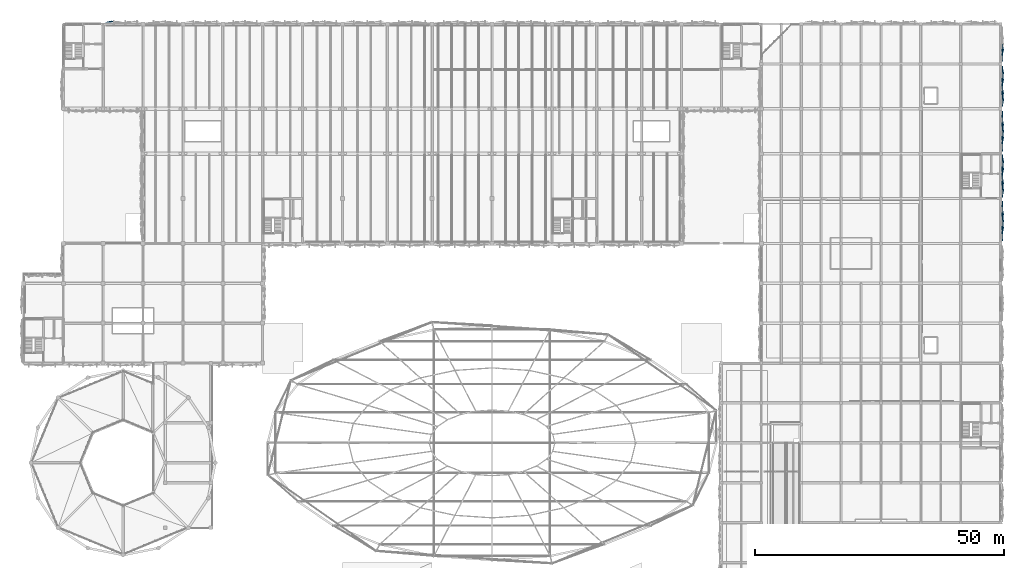
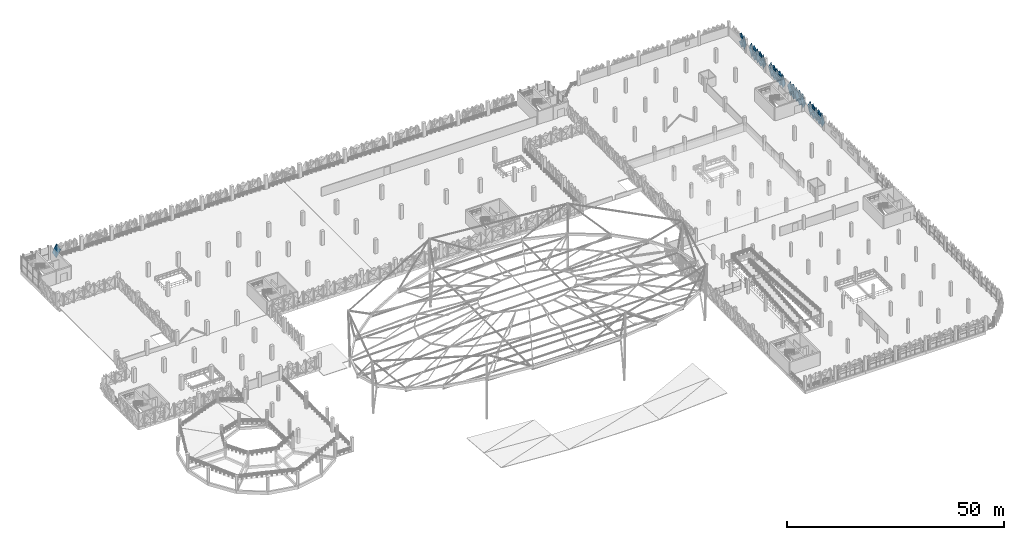
# One storey, part 77 of 96: 32 plates.
"""IFC4 building model written with IfcOpenShell, lengths in metres."""

from ifc_helpers import new_model, si_unit, derived_unit, direction, frame, origin, place, context, subcontext, project, spatial, polygons, material, layer, layer_set, type_object, element, save


model = new_model("IFC4")

# Units and contexts
model_context = context("Model", 3, precision=1e-05, world=origin(), true_north=direction((0.0, 1.0)))
body_context = subcontext(model_context, "Body", "Model", "MODEL_VIEW")
ifc_project = project(units=[si_unit("LENGTHUNIT", "METRE"), si_unit("AREAUNIT", "SQUARE_METRE"), si_unit("VOLUMEUNIT", "CUBIC_METRE"), si_unit("PLANEANGLEUNIT", "RADIAN"), si_unit("MASSUNIT", "GRAM", prefix="KILO"), si_unit("THERMODYNAMICTEMPERATUREUNIT", "KELVIN"), derived_unit("THERMALTRANSMITTANCEUNIT", [(si_unit("POWERUNIT", "WATT"), 1), (si_unit("AREAUNIT", "SQUARE_METRE"), -1), (si_unit("THERMODYNAMICTEMPERATUREUNIT", "KELVIN"), -1)])], contexts=[model_context])

# Site, building, storey
site_placement = place(None, origin())
site = spatial("IfcSite", under=ifc_project, at=site_placement, CompositionType="ELEMENT")
building_placement = place(site_placement, origin())
building = spatial("IfcBuilding", under=site, at=building_placement, Name="Haiyu Intermodal Mobility Hub", CompositionType="ELEMENT")
storey_placement = place(building_placement, frame((0.0, 0.0, 9.5)))
storey = spatial("IfcBuildingStorey", under=building, at=storey_placement, Name="L02", CompositionType="ELEMENT", Elevation=9.5)

# Plates
ifc_material = material(Name="Anodised aluminium 6063-T6", Category="aluminium")
ifc_layer_1 = layer(ifc_material, 0.01806640625)
ifc_layer_set_1 = layer_set([ifc_layer_1], Name="Anodised aluminium 6063-T6")
plate_type_1 = type_object("IfcPlateType", Name="PLT-FC01", PredefinedType="USERDEFINED", material=ifc_layer_set_1)
plate_1_placement = place(storey_placement, origin())
element("IfcPlate", 1, at=plate_1_placement, inside=storey, type_object=plate_type_1, Name="PLT-PYR-0014", ObjectType="FACADE CASSETTE", PredefinedType="USERDEFINED", context=body_context, shape_type="Tessellation", body=[
    polygons([(31.653076171875, 148.39990234375, -0.510009765625), (30.5, 148.39990234375, 1.60009765625), (31.653076171875, 148.39990234375, 3.7099609375), (32.806884765625, 148.39990234375, 1.60009765625), (31.653076171875, 148.679931640625, 1.60009765625), (31.653076171875, 148.3779296875, -0.510009765625), (30.5, 148.3779296875, 1.60009765625), (31.653076171875, 148.3779296875, 3.7099609375), (32.806884765625, 148.3779296875, 1.60009765625), (31.653076171875, 148.657958984375, 1.60009765625)], [[[1, 2, 5]], [[2, 3, 5]], [[3, 4, 5]], [[4, 1, 5]], [[7, 6, 10]], [[8, 7, 10]], [[9, 8, 10]], [[6, 9, 10]], [[1, 6, 7, 2]], [[2, 7, 8, 3]], [[3, 8, 9, 4]], [[4, 9, 6, 1]]], closed=True),
])
plate_2_placement = place(storey_placement, origin())
element("IfcPlate", 2, at=plate_2_placement, inside=storey, type_object=plate_type_1, Name="PLT-PYR-1147", ObjectType="FACADE CASSETTE", PredefinedType="USERDEFINED", context=body_context, shape_type="Tessellation", body=[
    polygons([(210.39990234375, 138.179931640625, -0.510009765625), (210.39990234375, 139.5, 1.60009765625), (210.39990234375, 138.179931640625, 3.7099609375), (210.39990234375, 136.860107421875, 1.60009765625), (210.679931640625, 138.179931640625, 1.60009765625), (210.3779296875, 138.179931640625, -0.510009765625), (210.3779296875, 139.5, 1.60009765625), (210.3779296875, 138.179931640625, 3.7099609375), (210.3779296875, 136.860107421875, 1.60009765625), (210.657958984375, 138.179931640625, 1.60009765625)], [[[1, 2, 5]], [[2, 3, 5]], [[3, 4, 5]], [[4, 1, 5]], [[7, 6, 10]], [[8, 7, 10]], [[9, 8, 10]], [[6, 9, 10]], [[1, 6, 7, 2]], [[2, 7, 8, 3]], [[3, 8, 9, 4]], [[4, 9, 6, 1]]], closed=True),
])
plate_3_placement = place(storey_placement, origin())
element("IfcPlate", 3, at=plate_3_placement, inside=storey, type_object=plate_type_1, Name="PLT-PYR-1401", ObjectType="FACADE CASSETTE", PredefinedType="USERDEFINED", context=body_context, shape_type="Tessellation", body=[
    polygons([(210.39990234375, 120.366943359375, -0.510009765625), (210.39990234375, 121.780029296875, 1.60009765625), (210.39990234375, 120.366943359375, 3.7099609375), (210.39990234375, 118.952880859375, 1.60009765625), (210.679931640625, 120.366943359375, 1.60009765625), (210.3779296875, 120.366943359375, -0.510009765625), (210.3779296875, 121.780029296875, 1.60009765625), (210.3779296875, 120.366943359375, 3.7099609375), (210.3779296875, 118.952880859375, 1.60009765625), (210.657958984375, 120.366943359375, 1.60009765625)], [[[1, 2, 5]], [[2, 3, 5]], [[3, 4, 5]], [[4, 1, 5]], [[7, 6, 10]], [[8, 7, 10]], [[9, 8, 10]], [[6, 9, 10]], [[1, 6, 7, 2]], [[2, 7, 8, 3]], [[3, 8, 9, 4]], [[4, 9, 6, 1]]], closed=True),
])
ifc_layer_2 = layer(ifc_material, 0.02001953125)
ifc_layer_set_2 = layer_set([ifc_layer_2], Name="Anodised aluminium 6063-T6")
plate_type_2 = type_object("IfcPlateType", Name="PLT-FC02", PredefinedType="USERDEFINED", material=ifc_layer_set_2)
plate_4_placement = place(storey_placement, origin())
element("IfcPlate", 4, at=plate_4_placement, inside=storey, type_object=plate_type_2, Name="PLT-PYR-1133", ObjectType="FACADE CASSETTE", PredefinedType="USERDEFINED", context=body_context, shape_type="Tessellation", body=[
    polygons([(210.39990234375, 111.179931640625, -0.510009765625), (210.39990234375, 112.5, 1.60009765625), (210.39990234375, 111.179931640625, 3.7099609375), (210.39990234375, 109.860107421875, 1.60009765625), (210.139892578125, 111.179931640625, 1.60009765625), (210.3779296875, 111.179931640625, -0.510009765625), (210.3779296875, 112.5, 1.60009765625), (210.3779296875, 111.179931640625, 3.7099609375), (210.3779296875, 109.860107421875, 1.60009765625), (210.117919921875, 111.179931640625, 1.60009765625)], [[[1, 2, 5]], [[2, 3, 5]], [[3, 4, 5]], [[4, 1, 5]], [[7, 6, 10]], [[8, 7, 10]], [[9, 8, 10]], [[6, 9, 10]], [[1, 6, 7, 2]], [[2, 7, 8, 3]], [[3, 8, 9, 4]], [[4, 9, 6, 1]]], closed=True),
])
plate_5_placement = place(storey_placement, origin())
element("IfcPlate", 5, at=plate_5_placement, inside=storey, type_object=plate_type_2, Name="PLT-PYR-1140", ObjectType="FACADE CASSETTE", PredefinedType="USERDEFINED", context=body_context, shape_type="Tessellation", body=[
    polygons([(210.39990234375, 129.179931640625, -0.510009765625), (210.39990234375, 130.5, 1.60009765625), (210.39990234375, 129.179931640625, 3.7099609375), (210.39990234375, 127.860107421875, 1.60009765625), (210.139892578125, 129.179931640625, 1.60009765625), (210.3779296875, 129.179931640625, -0.510009765625), (210.3779296875, 130.5, 1.60009765625), (210.3779296875, 129.179931640625, 3.7099609375), (210.3779296875, 127.860107421875, 1.60009765625), (210.117919921875, 129.179931640625, 1.60009765625)], [[[1, 2, 5]], [[2, 3, 5]], [[3, 4, 5]], [[4, 1, 5]], [[7, 6, 10]], [[8, 7, 10]], [[9, 8, 10]], [[6, 9, 10]], [[1, 6, 7, 2]], [[2, 7, 8, 3]], [[3, 8, 9, 4]], [[4, 9, 6, 1]]], closed=True),
])
ifc_layer_3 = layer(ifc_material, 0.01806640625)
ifc_layer_set_3 = layer_set([ifc_layer_3], Name="Anodised aluminium 6063-T6")
plate_type_3 = type_object("IfcPlateType", Name="PLT-FC05", PredefinedType="USERDEFINED", material=ifc_layer_set_3)
plate_6_placement = place(storey_placement, origin())
element("IfcPlate", 6, at=plate_6_placement, inside=storey, type_object=plate_type_3, Name="PLT-PYR-1128", ObjectType="FACADE CASSETTE", PredefinedType="USERDEFINED", context=body_context, shape_type="Tessellation", body=[
    polygons([(210.39990234375, 107.159912109375, -0.52001953125), (210.39990234375, 108.47998046875, 0.530029296875), (210.39990234375, 107.159912109375, 1.580078125), (210.39990234375, 105.840087890625, 0.530029296875), (210.659912109375, 107.159912109375, 0.530029296875), (210.3779296875, 107.159912109375, -0.52001953125), (210.3779296875, 108.47998046875, 0.530029296875), (210.3779296875, 107.159912109375, 1.580078125), (210.3779296875, 105.840087890625, 0.530029296875), (210.637939453125, 107.159912109375, 0.530029296875)], [[[1, 2, 5]], [[2, 3, 5]], [[3, 4, 5]], [[4, 1, 5]], [[7, 6, 10]], [[8, 7, 10]], [[9, 8, 10]], [[6, 9, 10]], [[1, 6, 7, 2]], [[2, 7, 8, 3]], [[3, 8, 9, 4]], [[4, 9, 6, 1]]], closed=True),
])
plate_7_placement = place(storey_placement, origin())
element("IfcPlate", 7, at=plate_7_placement, inside=storey, type_object=plate_type_3, Name="PLT-PYR-1135", ObjectType="FACADE CASSETTE", PredefinedType="USERDEFINED", context=body_context, shape_type="Tessellation", body=[
    polygons([(210.39990234375, 125.159912109375, -0.52001953125), (210.39990234375, 126.47998046875, 0.530029296875), (210.39990234375, 125.159912109375, 1.580078125), (210.39990234375, 123.840087890625, 0.530029296875), (210.659912109375, 125.159912109375, 0.530029296875), (210.3779296875, 125.159912109375, -0.52001953125), (210.3779296875, 126.47998046875, 0.530029296875), (210.3779296875, 125.159912109375, 1.580078125), (210.3779296875, 123.840087890625, 0.530029296875), (210.637939453125, 125.159912109375, 0.530029296875)], [[[1, 2, 5]], [[2, 3, 5]], [[3, 4, 5]], [[4, 1, 5]], [[7, 6, 10]], [[8, 7, 10]], [[9, 8, 10]], [[6, 9, 10]], [[1, 6, 7, 2]], [[2, 7, 8, 3]], [[3, 8, 9, 4]], [[4, 9, 6, 1]]], closed=True),
])
plate_8_placement = place(storey_placement, origin())
element("IfcPlate", 8, at=plate_8_placement, inside=storey, type_object=plate_type_3, Name="PLT-PYR-1141", ObjectType="FACADE CASSETTE", PredefinedType="USERDEFINED", context=body_context, shape_type="Tessellation", body=[
    polygons([(210.39990234375, 132.820068359375, -0.510009765625), (210.39990234375, 134.139892578125, 1.60009765625), (210.39990234375, 132.820068359375, 3.7099609375), (210.39990234375, 131.5, 1.60009765625), (210.679931640625, 132.820068359375, 1.60009765625), (210.3779296875, 132.820068359375, -0.510009765625), (210.3779296875, 134.139892578125, 1.60009765625), (210.3779296875, 132.820068359375, 3.7099609375), (210.3779296875, 131.5, 1.60009765625), (210.657958984375, 132.820068359375, 1.60009765625)], [[[1, 2, 5]], [[2, 3, 5]], [[3, 4, 5]], [[4, 1, 5]], [[7, 6, 10]], [[8, 7, 10]], [[9, 8, 10]], [[6, 9, 10]], [[1, 6, 7, 2]], [[2, 7, 8, 3]], [[3, 8, 9, 4]], [[4, 9, 6, 1]]], closed=True),
])
plate_9_placement = place(storey_placement, origin())
element("IfcPlate", 9, at=plate_9_placement, inside=storey, type_object=plate_type_3, Name="PLT-PYR-1145", ObjectType="FACADE CASSETTE", PredefinedType="USERDEFINED", context=body_context, shape_type="Tessellation", body=[
    polygons([(210.39990234375, 136.840087890625, -0.52001953125), (210.39990234375, 138.159912109375, 0.530029296875), (210.39990234375, 136.840087890625, 1.580078125), (210.39990234375, 135.52001953125, 0.530029296875), (210.659912109375, 136.840087890625, 0.530029296875), (210.3779296875, 136.840087890625, -0.52001953125), (210.3779296875, 138.159912109375, 0.530029296875), (210.3779296875, 136.840087890625, 1.580078125), (210.3779296875, 135.52001953125, 0.530029296875), (210.637939453125, 136.840087890625, 0.530029296875)], [[[1, 2, 5]], [[2, 3, 5]], [[3, 4, 5]], [[4, 1, 5]], [[7, 6, 10]], [[8, 7, 10]], [[9, 8, 10]], [[6, 9, 10]], [[1, 6, 7, 2]], [[2, 7, 8, 3]], [[3, 8, 9, 4]], [[4, 9, 6, 1]]], closed=True),
])
plate_10_placement = place(storey_placement, origin())
element("IfcPlate", 10, at=plate_10_placement, inside=storey, type_object=plate_type_3, Name="PLT-PYR-1149", ObjectType="FACADE CASSETTE", PredefinedType="USERDEFINED", context=body_context, shape_type="Tessellation", body=[
    polygons([(210.39990234375, 142.826904296875, -0.52001953125), (210.39990234375, 143.97998046875, 0.530029296875), (210.39990234375, 142.826904296875, 1.580078125), (210.39990234375, 141.673095703125, 0.530029296875), (210.659912109375, 142.826904296875, 0.530029296875), (210.3779296875, 142.826904296875, -0.52001953125), (210.3779296875, 143.97998046875, 0.530029296875), (210.3779296875, 142.826904296875, 1.580078125), (210.3779296875, 141.673095703125, 0.530029296875), (210.637939453125, 142.826904296875, 0.530029296875)], [[[1, 2, 5]], [[2, 3, 5]], [[3, 4, 5]], [[4, 1, 5]], [[7, 6, 10]], [[8, 7, 10]], [[9, 8, 10]], [[6, 9, 10]], [[1, 6, 7, 2]], [[2, 7, 8, 3]], [[3, 8, 9, 4]], [[4, 9, 6, 1]]], closed=True),
])
plate_11_placement = place(storey_placement, origin())
element("IfcPlate", 11, at=plate_11_placement, inside=storey, type_object=plate_type_3, Name="PLT-PYR-1395", ObjectType="FACADE CASSETTE", PredefinedType="USERDEFINED", context=body_context, shape_type="Tessellation", body=[
    polygons([(210.39990234375, 114.633056640625, -0.510009765625), (210.39990234375, 116.047119140625, 1.60009765625), (210.39990234375, 114.633056640625, 3.7099609375), (210.39990234375, 113.219970703125, 1.60009765625), (210.679931640625, 114.633056640625, 1.60009765625), (210.3779296875, 114.633056640625, -0.510009765625), (210.3779296875, 116.047119140625, 1.60009765625), (210.3779296875, 114.633056640625, 3.7099609375), (210.3779296875, 113.219970703125, 1.60009765625), (210.657958984375, 114.633056640625, 1.60009765625)], [[[1, 2, 5]], [[2, 3, 5]], [[3, 4, 5]], [[4, 1, 5]], [[7, 6, 10]], [[8, 7, 10]], [[9, 8, 10]], [[6, 9, 10]], [[1, 6, 7, 2]], [[2, 7, 8, 3]], [[3, 8, 9, 4]], [[4, 9, 6, 1]]], closed=True),
])
plate_12_placement = place(storey_placement, origin())
element("IfcPlate", 12, at=plate_12_placement, inside=storey, type_object=plate_type_3, Name="PLT-PYR-1399", ObjectType="FACADE CASSETTE", PredefinedType="USERDEFINED", context=body_context, shape_type="Tessellation", body=[
    polygons([(210.39990234375, 118.93310546875, -0.52001953125), (210.39990234375, 120.346923828125, 0.530029296875), (210.39990234375, 118.93310546875, 1.580078125), (210.39990234375, 117.52001953125, 0.530029296875), (210.659912109375, 118.93310546875, 0.530029296875), (210.3779296875, 118.93310546875, -0.52001953125), (210.3779296875, 120.346923828125, 0.530029296875), (210.3779296875, 118.93310546875, 1.580078125), (210.3779296875, 117.52001953125, 0.530029296875), (210.637939453125, 118.93310546875, 0.530029296875)], [[[1, 2, 5]], [[2, 3, 5]], [[3, 4, 5]], [[4, 1, 5]], [[7, 6, 10]], [[8, 7, 10]], [[9, 8, 10]], [[6, 9, 10]], [[1, 6, 7, 2]], [[2, 7, 8, 3]], [[3, 8, 9, 4]], [[4, 9, 6, 1]]], closed=True),
])
ifc_layer_4 = layer(ifc_material, 0.02001953125)
ifc_layer_set_4 = layer_set([ifc_layer_4], Name="Anodised aluminium 6063-T6")
plate_type_4 = type_object("IfcPlateType", Name="PLT-FC06", PredefinedType="USERDEFINED", material=ifc_layer_set_4)
plate_13_placement = place(storey_placement, origin())
element("IfcPlate", 13, at=plate_13_placement, inside=storey, type_object=plate_type_4, Name="PLT-PYR-1127", ObjectType="FACADE CASSETTE", PredefinedType="USERDEFINED", context=body_context, shape_type="Tessellation", body=[
    polygons([(210.39990234375, 105.820068359375, -0.510009765625), (210.39990234375, 107.139892578125, 1.60009765625), (210.39990234375, 105.820068359375, 3.7099609375), (210.39990234375, 104.5, 1.60009765625), (210.139892578125, 105.820068359375, 1.60009765625), (210.3779296875, 105.820068359375, -0.510009765625), (210.3779296875, 107.139892578125, 1.60009765625), (210.3779296875, 105.820068359375, 3.7099609375), (210.3779296875, 104.5, 1.60009765625), (210.117919921875, 105.820068359375, 1.60009765625)], [[[1, 2, 5]], [[2, 3, 5]], [[3, 4, 5]], [[4, 1, 5]], [[7, 6, 10]], [[8, 7, 10]], [[9, 8, 10]], [[6, 9, 10]], [[1, 6, 7, 2]], [[2, 7, 8, 3]], [[3, 8, 9, 4]], [[4, 9, 6, 1]]], closed=True),
])
plate_14_placement = place(storey_placement, origin())
element("IfcPlate", 14, at=plate_14_placement, inside=storey, type_object=plate_type_4, Name="PLT-PYR-1131", ObjectType="FACADE CASSETTE", PredefinedType="USERDEFINED", context=body_context, shape_type="Tessellation", body=[
    polygons([(210.39990234375, 109.840087890625, -0.52001953125), (210.39990234375, 111.159912109375, 0.530029296875), (210.39990234375, 109.840087890625, 1.580078125), (210.39990234375, 108.52001953125, 0.530029296875), (210.179931640625, 109.840087890625, 0.530029296875), (210.3779296875, 109.840087890625, -0.52001953125), (210.3779296875, 111.159912109375, 0.530029296875), (210.3779296875, 109.840087890625, 1.580078125), (210.3779296875, 108.52001953125, 0.530029296875), (210.157958984375, 109.840087890625, 0.530029296875)], [[[1, 2, 5]], [[2, 3, 5]], [[3, 4, 5]], [[4, 1, 5]], [[7, 6, 10]], [[8, 7, 10]], [[9, 8, 10]], [[6, 9, 10]], [[1, 6, 7, 2]], [[2, 7, 8, 3]], [[3, 8, 9, 4]], [[4, 9, 6, 1]]], closed=True),
])
plate_15_placement = place(storey_placement, origin())
element("IfcPlate", 15, at=plate_15_placement, inside=storey, type_object=plate_type_4, Name="PLT-PYR-1134", ObjectType="FACADE CASSETTE", PredefinedType="USERDEFINED", context=body_context, shape_type="Tessellation", body=[
    polygons([(210.39990234375, 123.820068359375, -0.510009765625), (210.39990234375, 125.139892578125, 1.60009765625), (210.39990234375, 123.820068359375, 3.7099609375), (210.39990234375, 122.5, 1.60009765625), (210.139892578125, 123.820068359375, 1.60009765625), (210.3779296875, 123.820068359375, -0.510009765625), (210.3779296875, 125.139892578125, 1.60009765625), (210.3779296875, 123.820068359375, 3.7099609375), (210.3779296875, 122.5, 1.60009765625), (210.117919921875, 123.820068359375, 1.60009765625)], [[[1, 2, 5]], [[2, 3, 5]], [[3, 4, 5]], [[4, 1, 5]], [[7, 6, 10]], [[8, 7, 10]], [[9, 8, 10]], [[6, 9, 10]], [[1, 6, 7, 2]], [[2, 7, 8, 3]], [[3, 8, 9, 4]], [[4, 9, 6, 1]]], closed=True),
])
plate_16_placement = place(storey_placement, origin())
element("IfcPlate", 16, at=plate_16_placement, inside=storey, type_object=plate_type_4, Name="PLT-PYR-1138", ObjectType="FACADE CASSETTE", PredefinedType="USERDEFINED", context=body_context, shape_type="Tessellation", body=[
    polygons([(210.39990234375, 127.840087890625, -0.52001953125), (210.39990234375, 129.159912109375, 0.530029296875), (210.39990234375, 127.840087890625, 1.580078125), (210.39990234375, 126.52001953125, 0.530029296875), (210.179931640625, 127.840087890625, 0.530029296875), (210.3779296875, 127.840087890625, -0.52001953125), (210.3779296875, 129.159912109375, 0.530029296875), (210.3779296875, 127.840087890625, 1.580078125), (210.3779296875, 126.52001953125, 0.530029296875), (210.157958984375, 127.840087890625, 0.530029296875)], [[[1, 2, 5]], [[2, 3, 5]], [[3, 4, 5]], [[4, 1, 5]], [[7, 6, 10]], [[8, 7, 10]], [[9, 8, 10]], [[6, 9, 10]], [[1, 6, 7, 2]], [[2, 7, 8, 3]], [[3, 8, 9, 4]], [[4, 9, 6, 1]]], closed=True),
])
plate_17_placement = place(storey_placement, origin())
element("IfcPlate", 17, at=plate_17_placement, inside=storey, type_object=plate_type_4, Name="PLT-PYR-1142", ObjectType="FACADE CASSETTE", PredefinedType="USERDEFINED", context=body_context, shape_type="Tessellation", body=[
    polygons([(210.39990234375, 134.159912109375, -0.52001953125), (210.39990234375, 135.47998046875, 0.530029296875), (210.39990234375, 134.159912109375, 1.580078125), (210.39990234375, 132.840087890625, 0.530029296875), (210.179931640625, 134.159912109375, 0.530029296875), (210.3779296875, 134.159912109375, -0.52001953125), (210.3779296875, 135.47998046875, 0.530029296875), (210.3779296875, 134.159912109375, 1.580078125), (210.3779296875, 132.840087890625, 0.530029296875), (210.157958984375, 134.159912109375, 0.530029296875)], [[[1, 2, 5]], [[2, 3, 5]], [[3, 4, 5]], [[4, 1, 5]], [[7, 6, 10]], [[8, 7, 10]], [[9, 8, 10]], [[6, 9, 10]], [[1, 6, 7, 2]], [[2, 7, 8, 3]], [[3, 8, 9, 4]], [[4, 9, 6, 1]]], closed=True),
])
plate_18_placement = place(storey_placement, origin())
element("IfcPlate", 18, at=plate_18_placement, inside=storey, type_object=plate_type_4, Name="PLT-PYR-1148", ObjectType="FACADE CASSETTE", PredefinedType="USERDEFINED", context=body_context, shape_type="Tessellation", body=[
    polygons([(210.39990234375, 141.653076171875, -0.510009765625), (210.39990234375, 142.806884765625, 1.60009765625), (210.39990234375, 141.653076171875, 3.7099609375), (210.39990234375, 140.5, 1.60009765625), (210.139892578125, 141.653076171875, 1.60009765625), (210.3779296875, 141.653076171875, -0.510009765625), (210.3779296875, 142.806884765625, 1.60009765625), (210.3779296875, 141.653076171875, 3.7099609375), (210.3779296875, 140.5, 1.60009765625), (210.117919921875, 141.653076171875, 1.60009765625)], [[[1, 2, 5]], [[2, 3, 5]], [[3, 4, 5]], [[4, 1, 5]], [[7, 6, 10]], [[8, 7, 10]], [[9, 8, 10]], [[6, 9, 10]], [[1, 6, 7, 2]], [[2, 7, 8, 3]], [[3, 8, 9, 4]], [[4, 9, 6, 1]]], closed=True),
])
plate_19_placement = place(storey_placement, origin())
element("IfcPlate", 19, at=plate_19_placement, inside=storey, type_object=plate_type_4, Name="PLT-PYR-1396", ObjectType="FACADE CASSETTE", PredefinedType="USERDEFINED", context=body_context, shape_type="Tessellation", body=[
    polygons([(210.39990234375, 116.06689453125, -0.52001953125), (210.39990234375, 117.47998046875, 0.530029296875), (210.39990234375, 116.06689453125, 1.580078125), (210.39990234375, 114.653076171875, 0.530029296875), (210.179931640625, 116.06689453125, 0.530029296875), (210.3779296875, 116.06689453125, -0.52001953125), (210.3779296875, 117.47998046875, 0.530029296875), (210.3779296875, 116.06689453125, 1.580078125), (210.3779296875, 114.653076171875, 0.530029296875), (210.157958984375, 116.06689453125, 0.530029296875)], [[[1, 2, 5]], [[2, 3, 5]], [[3, 4, 5]], [[4, 1, 5]], [[7, 6, 10]], [[8, 7, 10]], [[9, 8, 10]], [[6, 9, 10]], [[1, 6, 7, 2]], [[2, 7, 8, 3]], [[3, 8, 9, 4]], [[4, 9, 6, 1]]], closed=True),
])
ifc_layer_5 = layer(ifc_material, 0.02197265625)
ifc_layer_set_5 = layer_set([ifc_layer_5], Name="Anodised aluminium 6063-T6")
plate_type_5 = type_object("IfcPlateType", Name="PLT-FC07", PredefinedType="USERDEFINED", material=ifc_layer_set_5)
plate_20_placement = place(storey_placement, origin())
element("IfcPlate", 20, at=plate_20_placement, inside=storey, type_object=plate_type_5, Name="PLT-PYR-1130", ObjectType="FACADE CASSETTE", PredefinedType="USERDEFINED", context=body_context, shape_type="Tessellation", body=[
    polygons([(210.39990234375, 108.5, -0.510009765625), (210.39990234375, 109.820068359375, 1.60009765625), (210.39990234375, 108.5, 3.7099609375), (210.39990234375, 107.179931640625, 1.60009765625), (210.679931640625, 108.5, 1.60009765625), (210.3779296875, 108.5, -0.510009765625), (210.3779296875, 109.820068359375, 1.60009765625), (210.3779296875, 108.5, 3.7099609375), (210.3779296875, 107.179931640625, 1.60009765625), (210.657958984375, 108.5, 1.60009765625)], [[[1, 2, 5]], [[2, 3, 5]], [[3, 4, 5]], [[4, 1, 5]], [[7, 6, 10]], [[8, 7, 10]], [[9, 8, 10]], [[6, 9, 10]], [[1, 6, 7, 2]], [[2, 7, 8, 3]], [[3, 8, 9, 4]], [[4, 9, 6, 1]]], closed=True),
])
plate_21_placement = place(storey_placement, origin())
element("IfcPlate", 21, at=plate_21_placement, inside=storey, type_object=plate_type_5, Name="PLT-PYR-1132", ObjectType="FACADE CASSETTE", PredefinedType="USERDEFINED", context=body_context, shape_type="Tessellation", body=[
    polygons([(210.39990234375, 109.840087890625, 1.6201171875), (210.39990234375, 111.159912109375, 2.669921875), (210.39990234375, 109.840087890625, 3.719970703125), (210.39990234375, 108.52001953125, 2.669921875), (210.659912109375, 109.840087890625, 2.669921875), (210.3779296875, 109.840087890625, 1.6201171875), (210.3779296875, 111.159912109375, 2.669921875), (210.3779296875, 109.840087890625, 3.719970703125), (210.3779296875, 108.52001953125, 2.669921875), (210.637939453125, 109.840087890625, 2.669921875)], [[[1, 2, 5]], [[2, 3, 5]], [[3, 4, 5]], [[4, 1, 5]], [[7, 6, 10]], [[8, 7, 10]], [[9, 8, 10]], [[6, 9, 10]], [[1, 6, 7, 2]], [[2, 7, 8, 3]], [[3, 8, 9, 4]], [[4, 9, 6, 1]]], closed=True),
])
plate_22_placement = place(storey_placement, origin())
element("IfcPlate", 22, at=plate_22_placement, inside=storey, type_object=plate_type_5, Name="PLT-PYR-1137", ObjectType="FACADE CASSETTE", PredefinedType="USERDEFINED", context=body_context, shape_type="Tessellation", body=[
    polygons([(210.39990234375, 126.5, -0.510009765625), (210.39990234375, 127.820068359375, 1.60009765625), (210.39990234375, 126.5, 3.7099609375), (210.39990234375, 125.179931640625, 1.60009765625), (210.679931640625, 126.5, 1.60009765625), (210.3779296875, 126.5, -0.510009765625), (210.3779296875, 127.820068359375, 1.60009765625), (210.3779296875, 126.5, 3.7099609375), (210.3779296875, 125.179931640625, 1.60009765625), (210.657958984375, 126.5, 1.60009765625)], [[[1, 2, 5]], [[2, 3, 5]], [[3, 4, 5]], [[4, 1, 5]], [[7, 6, 10]], [[8, 7, 10]], [[9, 8, 10]], [[6, 9, 10]], [[1, 6, 7, 2]], [[2, 7, 8, 3]], [[3, 8, 9, 4]], [[4, 9, 6, 1]]], closed=True),
])
plate_23_placement = place(storey_placement, origin())
element("IfcPlate", 23, at=plate_23_placement, inside=storey, type_object=plate_type_5, Name="PLT-PYR-1139", ObjectType="FACADE CASSETTE", PredefinedType="USERDEFINED", context=body_context, shape_type="Tessellation", body=[
    polygons([(210.39990234375, 127.840087890625, 1.6201171875), (210.39990234375, 129.159912109375, 2.669921875), (210.39990234375, 127.840087890625, 3.719970703125), (210.39990234375, 126.52001953125, 2.669921875), (210.659912109375, 127.840087890625, 2.669921875), (210.3779296875, 127.840087890625, 1.6201171875), (210.3779296875, 129.159912109375, 2.669921875), (210.3779296875, 127.840087890625, 3.719970703125), (210.3779296875, 126.52001953125, 2.669921875), (210.637939453125, 127.840087890625, 2.669921875)], [[[1, 2, 5]], [[2, 3, 5]], [[3, 4, 5]], [[4, 1, 5]], [[7, 6, 10]], [[8, 7, 10]], [[9, 8, 10]], [[6, 9, 10]], [[1, 6, 7, 2]], [[2, 7, 8, 3]], [[3, 8, 9, 4]], [[4, 9, 6, 1]]], closed=True),
])
plate_24_placement = place(storey_placement, origin())
element("IfcPlate", 24, at=plate_24_placement, inside=storey, type_object=plate_type_5, Name="PLT-PYR-1143", ObjectType="FACADE CASSETTE", PredefinedType="USERDEFINED", context=body_context, shape_type="Tessellation", body=[
    polygons([(210.39990234375, 134.159912109375, 1.6201171875), (210.39990234375, 135.47998046875, 2.669921875), (210.39990234375, 134.159912109375, 3.719970703125), (210.39990234375, 132.840087890625, 2.669921875), (210.659912109375, 134.159912109375, 2.669921875), (210.3779296875, 134.159912109375, 1.6201171875), (210.3779296875, 135.47998046875, 2.669921875), (210.3779296875, 134.159912109375, 3.719970703125), (210.3779296875, 132.840087890625, 2.669921875), (210.637939453125, 134.159912109375, 2.669921875)], [[[1, 2, 5]], [[2, 3, 5]], [[3, 4, 5]], [[4, 1, 5]], [[7, 6, 10]], [[8, 7, 10]], [[9, 8, 10]], [[6, 9, 10]], [[1, 6, 7, 2]], [[2, 7, 8, 3]], [[3, 8, 9, 4]], [[4, 9, 6, 1]]], closed=True),
])
plate_25_placement = place(storey_placement, origin())
element("IfcPlate", 25, at=plate_25_placement, inside=storey, type_object=plate_type_5, Name="PLT-PYR-1397", ObjectType="FACADE CASSETTE", PredefinedType="USERDEFINED", context=body_context, shape_type="Tessellation", body=[
    polygons([(210.39990234375, 116.06689453125, 1.6201171875), (210.39990234375, 117.47998046875, 2.669921875), (210.39990234375, 116.06689453125, 3.719970703125), (210.39990234375, 114.653076171875, 2.669921875), (210.659912109375, 116.06689453125, 2.669921875), (210.3779296875, 116.06689453125, 1.6201171875), (210.3779296875, 117.47998046875, 2.669921875), (210.3779296875, 116.06689453125, 3.719970703125), (210.3779296875, 114.653076171875, 2.669921875), (210.637939453125, 116.06689453125, 2.669921875)], [[[1, 2, 5]], [[2, 3, 5]], [[3, 4, 5]], [[4, 1, 5]], [[7, 6, 10]], [[8, 7, 10]], [[9, 8, 10]], [[6, 9, 10]], [[1, 6, 7, 2]], [[2, 7, 8, 3]], [[3, 8, 9, 4]], [[4, 9, 6, 1]]], closed=True),
])
ifc_layer_6 = layer(ifc_material, 0.02392578125)
ifc_layer_set_6 = layer_set([ifc_layer_6], Name="Anodised aluminium 6063-T6")
plate_type_6 = type_object("IfcPlateType", Name="PLT-FC08", PredefinedType="USERDEFINED", material=ifc_layer_set_6)
plate_26_placement = place(storey_placement, origin())
element("IfcPlate", 26, at=plate_26_placement, inside=storey, type_object=plate_type_6, Name="PLT-PYR-1129", ObjectType="FACADE CASSETTE", PredefinedType="USERDEFINED", context=body_context, shape_type="Tessellation", body=[
    polygons([(210.39990234375, 107.159912109375, 1.6201171875), (210.39990234375, 108.47998046875, 2.669921875), (210.39990234375, 107.159912109375, 3.719970703125), (210.39990234375, 105.840087890625, 2.669921875), (210.179931640625, 107.159912109375, 2.669921875), (210.3779296875, 107.159912109375, 1.6201171875), (210.3779296875, 108.47998046875, 2.669921875), (210.3779296875, 107.159912109375, 3.719970703125), (210.3779296875, 105.840087890625, 2.669921875), (210.157958984375, 107.159912109375, 2.669921875)], [[[1, 2, 5]], [[2, 3, 5]], [[3, 4, 5]], [[4, 1, 5]], [[7, 6, 10]], [[8, 7, 10]], [[9, 8, 10]], [[6, 9, 10]], [[1, 6, 7, 2]], [[2, 7, 8, 3]], [[3, 8, 9, 4]], [[4, 9, 6, 1]]], closed=True),
])
plate_27_placement = place(storey_placement, origin())
element("IfcPlate", 27, at=plate_27_placement, inside=storey, type_object=plate_type_6, Name="PLT-PYR-1136", ObjectType="FACADE CASSETTE", PredefinedType="USERDEFINED", context=body_context, shape_type="Tessellation", body=[
    polygons([(210.39990234375, 125.159912109375, 1.6201171875), (210.39990234375, 126.47998046875, 2.669921875), (210.39990234375, 125.159912109375, 3.719970703125), (210.39990234375, 123.840087890625, 2.669921875), (210.179931640625, 125.159912109375, 2.669921875), (210.3779296875, 125.159912109375, 1.6201171875), (210.3779296875, 126.47998046875, 2.669921875), (210.3779296875, 125.159912109375, 3.719970703125), (210.3779296875, 123.840087890625, 2.669921875), (210.157958984375, 125.159912109375, 2.669921875)], [[[1, 2, 5]], [[2, 3, 5]], [[3, 4, 5]], [[4, 1, 5]], [[7, 6, 10]], [[8, 7, 10]], [[9, 8, 10]], [[6, 9, 10]], [[1, 6, 7, 2]], [[2, 7, 8, 3]], [[3, 8, 9, 4]], [[4, 9, 6, 1]]], closed=True),
])
plate_28_placement = place(storey_placement, origin())
element("IfcPlate", 28, at=plate_28_placement, inside=storey, type_object=plate_type_6, Name="PLT-PYR-1144", ObjectType="FACADE CASSETTE", PredefinedType="USERDEFINED", context=body_context, shape_type="Tessellation", body=[
    polygons([(210.39990234375, 135.5, -0.510009765625), (210.39990234375, 136.820068359375, 1.60009765625), (210.39990234375, 135.5, 3.7099609375), (210.39990234375, 134.179931640625, 1.60009765625), (210.139892578125, 135.5, 1.60009765625), (210.3779296875, 135.5, -0.510009765625), (210.3779296875, 136.820068359375, 1.60009765625), (210.3779296875, 135.5, 3.7099609375), (210.3779296875, 134.179931640625, 1.60009765625), (210.117919921875, 135.5, 1.60009765625)], [[[1, 2, 5]], [[2, 3, 5]], [[3, 4, 5]], [[4, 1, 5]], [[7, 6, 10]], [[8, 7, 10]], [[9, 8, 10]], [[6, 9, 10]], [[1, 6, 7, 2]], [[2, 7, 8, 3]], [[3, 8, 9, 4]], [[4, 9, 6, 1]]], closed=True),
])
plate_29_placement = place(storey_placement, origin())
element("IfcPlate", 29, at=plate_29_placement, inside=storey, type_object=plate_type_6, Name="PLT-PYR-1146", ObjectType="FACADE CASSETTE", PredefinedType="USERDEFINED", context=body_context, shape_type="Tessellation", body=[
    polygons([(210.39990234375, 136.840087890625, 1.6201171875), (210.39990234375, 138.159912109375, 2.669921875), (210.39990234375, 136.840087890625, 3.719970703125), (210.39990234375, 135.52001953125, 2.669921875), (210.179931640625, 136.840087890625, 2.669921875), (210.3779296875, 136.840087890625, 1.6201171875), (210.3779296875, 138.159912109375, 2.669921875), (210.3779296875, 136.840087890625, 3.719970703125), (210.3779296875, 135.52001953125, 2.669921875), (210.157958984375, 136.840087890625, 2.669921875)], [[[1, 2, 5]], [[2, 3, 5]], [[3, 4, 5]], [[4, 1, 5]], [[7, 6, 10]], [[8, 7, 10]], [[9, 8, 10]], [[6, 9, 10]], [[1, 6, 7, 2]], [[2, 7, 8, 3]], [[3, 8, 9, 4]], [[4, 9, 6, 1]]], closed=True),
])
plate_30_placement = place(storey_placement, origin())
element("IfcPlate", 30, at=plate_30_placement, inside=storey, type_object=plate_type_6, Name="PLT-PYR-1150", ObjectType="FACADE CASSETTE", PredefinedType="USERDEFINED", context=body_context, shape_type="Tessellation", body=[
    polygons([(210.39990234375, 142.826904296875, 1.6201171875), (210.39990234375, 143.97998046875, 2.669921875), (210.39990234375, 142.826904296875, 3.719970703125), (210.39990234375, 141.673095703125, 2.669921875), (210.179931640625, 142.826904296875, 2.669921875), (210.3779296875, 142.826904296875, 1.6201171875), (210.3779296875, 143.97998046875, 2.669921875), (210.3779296875, 142.826904296875, 3.719970703125), (210.3779296875, 141.673095703125, 2.669921875), (210.157958984375, 142.826904296875, 2.669921875)], [[[1, 2, 5]], [[2, 3, 5]], [[3, 4, 5]], [[4, 1, 5]], [[7, 6, 10]], [[8, 7, 10]], [[9, 8, 10]], [[6, 9, 10]], [[1, 6, 7, 2]], [[2, 7, 8, 3]], [[3, 8, 9, 4]], [[4, 9, 6, 1]]], closed=True),
])
plate_31_placement = place(storey_placement, origin())
element("IfcPlate", 31, at=plate_31_placement, inside=storey, type_object=plate_type_6, Name="PLT-PYR-1398", ObjectType="FACADE CASSETTE", PredefinedType="USERDEFINED", context=body_context, shape_type="Tessellation", body=[
    polygons([(210.39990234375, 117.5, -0.510009765625), (210.39990234375, 118.9130859375, 1.60009765625), (210.39990234375, 117.5, 3.7099609375), (210.39990234375, 116.0869140625, 1.60009765625), (210.139892578125, 117.5, 1.60009765625), (210.3779296875, 117.5, -0.510009765625), (210.3779296875, 118.9130859375, 1.60009765625), (210.3779296875, 117.5, 3.7099609375), (210.3779296875, 116.0869140625, 1.60009765625), (210.117919921875, 117.5, 1.60009765625)], [[[1, 2, 5]], [[2, 3, 5]], [[3, 4, 5]], [[4, 1, 5]], [[7, 6, 10]], [[8, 7, 10]], [[9, 8, 10]], [[6, 9, 10]], [[1, 6, 7, 2]], [[2, 7, 8, 3]], [[3, 8, 9, 4]], [[4, 9, 6, 1]]], closed=True),
])
plate_32_placement = place(storey_placement, origin())
element("IfcPlate", 32, at=plate_32_placement, inside=storey, type_object=plate_type_6, Name="PLT-PYR-1400", ObjectType="FACADE CASSETTE", PredefinedType="USERDEFINED", context=body_context, shape_type="Tessellation", body=[
    polygons([(210.39990234375, 118.93310546875, 1.6201171875), (210.39990234375, 120.346923828125, 2.669921875), (210.39990234375, 118.93310546875, 3.719970703125), (210.39990234375, 117.52001953125, 2.669921875), (210.179931640625, 118.93310546875, 2.669921875), (210.3779296875, 118.93310546875, 1.6201171875), (210.3779296875, 120.346923828125, 2.669921875), (210.3779296875, 118.93310546875, 3.719970703125), (210.3779296875, 117.52001953125, 2.669921875), (210.157958984375, 118.93310546875, 2.669921875)], [[[1, 2, 5]], [[2, 3, 5]], [[3, 4, 5]], [[4, 1, 5]], [[7, 6, 10]], [[8, 7, 10]], [[9, 8, 10]], [[6, 9, 10]], [[1, 6, 7, 2]], [[2, 7, 8, 3]], [[3, 8, 9, 4]], [[4, 9, 6, 1]]], closed=True),
])

save(model, "model.ifc")
